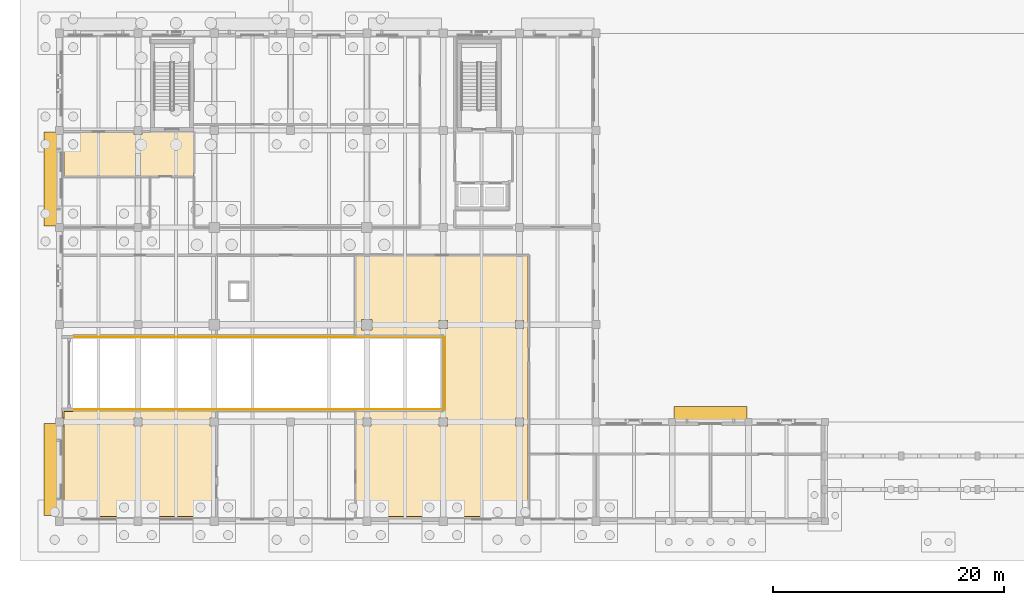
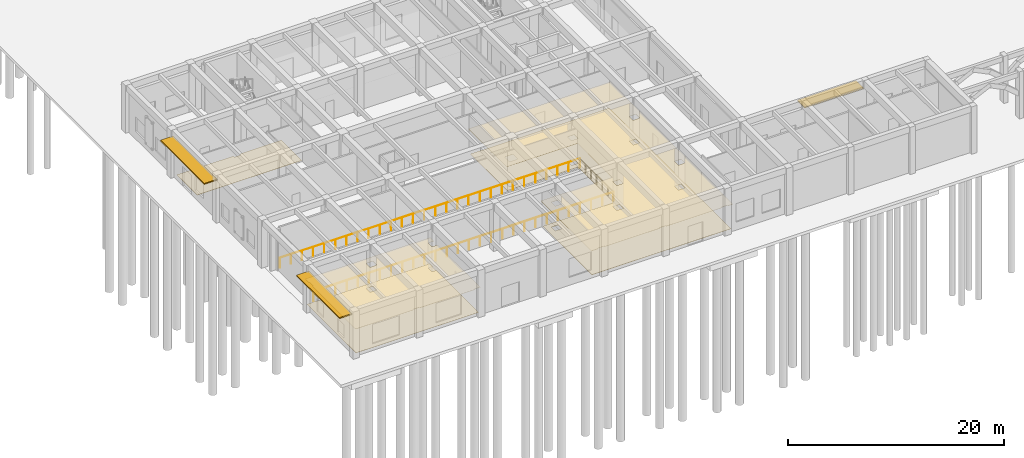
# One storey, part 71 of 82: 5 coverings, 3 railings, 3 shading devices.
"""IFC4 building model written with IfcOpenShell, lengths in metres."""

from ifc_helpers import new_model, si_unit, direction, frame, origin, origin_2d, place, context, subcontext, project, spatial, polyline, rectangle, circle, outline, extrude, material, layer, layer_set, type_object, element, save


model = new_model("IFC4")

# Units and contexts
model_context = context("Model", 3, precision=1e-05, world=origin(), true_north=direction((0.0, 1.0)))
body_context = subcontext(model_context, "Body", "Model", "MODEL_VIEW")
ifc_project = project(units=[si_unit("LENGTHUNIT", "METRE"), si_unit("AREAUNIT", "SQUARE_METRE"), si_unit("VOLUMEUNIT", "CUBIC_METRE"), si_unit("PLANEANGLEUNIT", "RADIAN"), si_unit("MASSUNIT", "GRAM", prefix="KILO")], contexts=[model_context])

# Site, building, storey
site_placement = place(None, origin())
site = spatial("IfcSite", under=ifc_project, at=site_placement, CompositionType="ELEMENT")
building_placement = place(site_placement, origin())
building = spatial("IfcBuilding", under=site, at=building_placement, Name="Kolvaren Faculty of Natural Sciences", CompositionType="ELEMENT")
storey_placement = place(building_placement, origin())
storey = spatial("IfcBuildingStorey", under=building, at=storey_placement, Name="L00", CompositionType="ELEMENT", Elevation=0.0)

# Coverings
ifc_material_1 = material(Name="Perforated mineral-fibre acoustic suspended ceiling tile")
ifc_layer_1 = layer(ifc_material_1, 0.02490234375)
ifc_layer_set_1 = layer_set([ifc_layer_1], Name="Perforated mineral-fibre acoustic suspended ceiling tile")
covering_type_1 = type_object("IfcCoveringType", Name="AcousticSuspendedCeiling_25", PredefinedType="CEILING", material=ifc_layer_set_1)
covering_1_placement = place(storey_placement, frame((0.0, 0.0, 2.824951171875)))
element("IfcCovering", 1, at=covering_1_placement, inside=storey, type_object=covering_type_1, Name="L00 L00 Wet Chemistry Teaching Laboratory acoustic ceiling", PredefinedType="CEILING", context=body_context, shape_type="SweptSolid", body=[
    extrude(outline(polyline([(0.260009765625, 8.25), (0.35009765625, 8.25), (0.35009765625, 8.949951171875), (0.260009765625, 8.949951171875), (0.260009765625, 9.6298828125), (13.679931640625, 9.6298828125), (13.679931640625, 8.949951171875), (13.050048828125, 8.949951171875), (13.050048828125, 8.25), (13.679931640625, 8.25), (13.679931640625, 0.35009765625), (13.050048828125, 0.35009765625), (13.050048828125, 0.260009765625), (7.14990234375, 0.260009765625), (7.14990234375, 0.35009765625), (6.449951171875, 0.35009765625), (6.449951171875, 0.260009765625), (0.35009765625, 0.260009765625), (0.35009765625, 0.35009765625), (0.260009765625, 0.35009765625), (0.260009765625, 8.25)]), holes=[polyline([(7.14990234375, 8.949951171875), (6.449951171875, 8.949951171875), (6.449951171875, 8.25), (7.14990234375, 8.25), (7.14990234375, 8.949951171875)])]), origin(), (0.0, 0.0, 1.0), 0.025146484375),
])
covering_2_placement = place(storey_placement, frame((0.0, 0.0, 2.824951171875)))
element("IfcCovering", 2, at=covering_2_placement, inside=storey, type_object=covering_type_1, Name="L00 L00 Lab Tutorial Seminar Room acoustic ceiling", PredefinedType="CEILING", context=body_context, shape_type="SweptSolid", body=[
    extrude(outline(polyline([(40.14990234375, 0.260009765625), (40.14990234375, 0.35009765625), (39.449951171875, 0.35009765625), (39.449951171875, 0.260009765625), (33.550048828125, 0.260009765625), (33.550048828125, 0.35009765625), (32.85009765625, 0.35009765625), (32.85009765625, 0.260009765625), (26.949951171875, 0.260009765625), (26.949951171875, 0.35009765625), (26.25, 0.35009765625), (26.25, 0.260009765625), (25.52001953125, 0.260009765625), (25.52001953125, 9.6298828125), (33.1201171875, 9.6298828125), (33.1201171875, 15.969970703125), (25.52001953125, 15.969970703125), (25.52001953125, 23.080078125), (40.679931640625, 23.080078125), (40.679931640625, 0.260009765625), (40.14990234375, 0.260009765625)]), holes=[polyline([(26.949951171875, 8.949951171875), (26.25, 8.949951171875), (26.25, 8.25), (26.949951171875, 8.25), (26.949951171875, 8.949951171875)]), polyline([(40.14990234375, 8.949951171875), (39.449951171875, 8.949951171875), (39.449951171875, 8.25), (40.14990234375, 8.25), (40.14990234375, 8.949951171875)]), polyline([(33.550048828125, 8.949951171875), (32.85009765625, 8.949951171875), (32.85009765625, 8.25), (33.550048828125, 8.25), (33.550048828125, 8.949951171875)]), polyline([(40.14990234375, 17.35009765625), (39.449951171875, 17.35009765625), (39.449951171875, 16.64990234375), (40.14990234375, 16.64990234375), (40.14990234375, 17.35009765625)]), polyline([(27.050048828125, 17.449951171875), (26.14990234375, 17.449951171875), (26.14990234375, 16.550048828125), (27.050048828125, 16.550048828125), (27.050048828125, 17.449951171875)]), polyline([(33.550048828125, 17.35009765625), (32.85009765625, 17.35009765625), (32.85009765625, 16.64990234375), (33.550048828125, 16.64990234375), (33.550048828125, 17.35009765625)])]), origin(), (0.0, 0.0, 1.0), 0.025146484375),
])

# Shading devices
ifc_material_2 = material(Name="Precast concrete C35/45", Category="concrete")
ifc_layer_2 = layer(ifc_material_2, 0.1201171875)
ifc_layer_set_2 = layer_set([ifc_layer_2], Name="Precast concrete C35/45")
shading_device_type = type_object("IfcShadingDeviceType", Name="ChhajjaSolarHood_1350", PredefinedType="AWNING", material=ifc_layer_set_2)
shading_device_1_placement = place(storey_placement, frame((-0.655029296875, 4.469970703125, 4.44482421875), z_axis=(0.0, 0.0, 1.0), x_axis=(0.0, 1.0, 0.0)))
element("IfcShadingDevice", 3, at=shading_device_1_placement, inside=storey, type_object=shading_device_type, Name="L00 precast sandstone chhajja solar hood 1", PredefinedType="AWNING", context=body_context, shape_type="SweptSolid", body=[
    extrude(rectangle(XDim=7.9599609375, YDim=1.35009765625, at=origin_2d()), origin(), (0.0, 0.0, 1.0), 0.1201171875),
])
shading_device_2_placement = place(storey_placement, frame((-0.655029296875, 29.60009765625, 4.44482421875), z_axis=(0.0, 0.0, 1.0), x_axis=(0.0, 1.0, 0.0)))
element("IfcShadingDevice", 4, at=shading_device_2_placement, inside=storey, type_object=shading_device_type, Name="L00 precast sandstone chhajja solar hood 2", PredefinedType="AWNING", context=body_context, shape_type="SweptSolid", body=[
    extrude(rectangle(XDim=8.10009765625, YDim=1.35009765625, at=origin_2d()), origin(), (0.0, 0.0, 1.0), 0.1201171875),
])
shading_device_3_placement = place(storey_placement, frame((56.300048828125, 9.2548828125, 4.294921875), z_axis=(0.0, 0.0, 1.0), x_axis=(1.0, 0.0, 0.0)))
element("IfcShadingDevice", 5, at=shading_device_3_placement, inside=storey, type_object=shading_device_type, Name="L00 precast sandstone chhajja solar hood 7", PredefinedType="AWNING", context=body_context, shape_type="SweptSolid", body=[
    extrude(rectangle(XDim=6.300048828125, YDim=1.35009765625, at=origin_2d()), origin(), (0.0, 0.0, 1.0), 0.1201171875),
])

# Railings
ifc_material_3 = material(Name="Structural steel EN 10210-1 S355J2H", Category="steel")
ifc_layer_3 = layer(ifc_material_3, 0.048095703125)
ifc_layer_set_3 = layer_set([ifc_layer_3], Name="Structural steel EN 10210-1 S355J2H")
railing_type = type_object("IfcRailingType", Name="GuardRailing_GRD110", PredefinedType="BALUSTRADE", material=ifc_layer_set_3)
railing_1_placement = place(storey_placement, frame((1.199951171875, 9.679931640625, 0.0)))
element("IfcRailing", 6, at=railing_1_placement, inside=storey, type_object=railing_type, Name="L00 vehicle ramp well balustrade 57", PredefinedType="BALUSTRADE", context=body_context, shape_type="SweptSolid", body=[
    extrude(circle(Radius=0.02392578125, at=origin_2d()), frame((0.0, 0.0, 1.09619140625), z_axis=(1.0, 0.0, 0.0), x_axis=(0.0, 1.0, 0.0)), (0.0, 0.0, 1.0), 32.1201171875),
    extrude(circle(Radius=0.02099609375, at=origin_2d()), origin(), (0.0, 0.0, 1.0), 1.072021484375),
    extrude(circle(Radius=0.02099609375, at=origin_2d()), frame((1.189697265625, 0.0, 0.0)), (0.0, 0.0, 1.0), 1.072021484375),
    extrude(circle(Radius=0.02099609375, at=origin_2d()), frame((2.379150390625, 0.0, 0.0)), (0.0, 0.0, 1.0), 1.072021484375),
    extrude(circle(Radius=0.02099609375, at=origin_2d()), frame((3.56884765625, 0.0, 0.0)), (0.0, 0.0, 1.0), 1.072021484375),
    extrude(circle(Radius=0.02099609375, at=origin_2d()), frame((4.758544921875, 0.0, 0.0)), (0.0, 0.0, 1.0), 1.072021484375),
    extrude(circle(Radius=0.02099609375, at=origin_2d()), frame((5.9482421875, 0.0, 0.0)), (0.0, 0.0, 1.0), 1.072021484375),
    extrude(circle(Radius=0.02099609375, at=origin_2d()), frame((7.1376953125, 0.0, 0.0)), (0.0, 0.0, 1.0), 1.072021484375),
    extrude(circle(Radius=0.02099609375, at=origin_2d()), frame((8.327392578125, 0.0, 0.0)), (0.0, 0.0, 1.0), 1.072021484375),
    extrude(circle(Radius=0.02099609375, at=origin_2d()), frame((9.51708984375, 0.0, 0.0)), (0.0, 0.0, 1.0), 1.072021484375),
    extrude(circle(Radius=0.02099609375, at=origin_2d()), frame((10.706787109375, 0.0, 0.0)), (0.0, 0.0, 1.0), 1.072021484375),
    extrude(circle(Radius=0.02099609375, at=origin_2d()), frame((11.896240234375, 0.0, 0.0)), (0.0, 0.0, 1.0), 1.072021484375),
    extrude(circle(Radius=0.02099609375, at=origin_2d()), frame((13.0859375, 0.0, 0.0)), (0.0, 0.0, 1.0), 1.072021484375),
    extrude(circle(Radius=0.02099609375, at=origin_2d()), frame((14.275634765625, 0.0, 0.0)), (0.0, 0.0, 1.0), 1.072021484375),
    extrude(circle(Radius=0.02099609375, at=origin_2d()), frame((15.46533203125, 0.0, 0.0)), (0.0, 0.0, 1.0), 1.072021484375),
    extrude(circle(Radius=0.02099609375, at=origin_2d()), frame((16.65478515625, 0.0, 0.0)), (0.0, 0.0, 1.0), 1.072021484375),
    extrude(circle(Radius=0.02099609375, at=origin_2d()), frame((17.844482421875, 0.0, 0.0)), (0.0, 0.0, 1.0), 1.072021484375),
    extrude(circle(Radius=0.02099609375, at=origin_2d()), frame((19.0341796875, 0.0, 0.0)), (0.0, 0.0, 1.0), 1.072021484375),
    extrude(circle(Radius=0.02099609375, at=origin_2d()), frame((20.223876953125, 0.0, 0.0)), (0.0, 0.0, 1.0), 1.072021484375),
    extrude(circle(Radius=0.02099609375, at=origin_2d()), frame((21.413330078125, 0.0, 0.0)), (0.0, 0.0, 1.0), 1.072021484375),
    extrude(circle(Radius=0.02099609375, at=origin_2d()), frame((22.60302734375, 0.0, 0.0)), (0.0, 0.0, 1.0), 1.072021484375),
    extrude(circle(Radius=0.02099609375, at=origin_2d()), frame((23.792724609375, 0.0, 0.0)), (0.0, 0.0, 1.0), 1.072021484375),
    extrude(circle(Radius=0.02099609375, at=origin_2d()), frame((24.982421875, 0.0, 0.0)), (0.0, 0.0, 1.0), 1.072021484375),
    extrude(circle(Radius=0.02099609375, at=origin_2d()), frame((26.171875, 0.0, 0.0)), (0.0, 0.0, 1.0), 1.072021484375),
    extrude(circle(Radius=0.02099609375, at=origin_2d()), frame((27.361572265625, 0.0, 0.0)), (0.0, 0.0, 1.0), 1.072021484375),
    extrude(circle(Radius=0.02099609375, at=origin_2d()), frame((28.55126953125, 0.0, 0.0)), (0.0, 0.0, 1.0), 1.072021484375),
    extrude(circle(Radius=0.02099609375, at=origin_2d()), frame((29.740966796875, 0.0, 0.0)), (0.0, 0.0, 1.0), 1.072021484375),
    extrude(circle(Radius=0.02099609375, at=origin_2d()), frame((30.930419921875, 0.0, 0.0)), (0.0, 0.0, 1.0), 1.072021484375),
    extrude(circle(Radius=0.02099609375, at=origin_2d()), frame((32.1201171875, 0.0, 0.0)), (0.0, 0.0, 1.0), 1.072021484375),
])
railing_2_placement = place(storey_placement, frame((33.320068359375, 9.679931640625, 0.0)))
element("IfcRailing", 7, at=railing_2_placement, inside=storey, type_object=railing_type, Name="L00 vehicle ramp well balustrade 58", PredefinedType="BALUSTRADE", context=body_context, shape_type="SweptSolid", body=[
    extrude(circle(Radius=0.02392578125, at=origin_2d()), frame((0.0, 0.0, 1.09619140625), z_axis=(0.0, 1.0, 0.0), x_axis=(-1.0, 0.0, 0.0)), (0.0, 0.0, 1.0), 6.239990234375),
    extrude(circle(Radius=0.02099609375, at=origin_2d()), origin(), (0.0, 0.0, 1.0), 1.072021484375),
    extrude(circle(Radius=0.02099609375, at=origin_2d()), frame((0.0, 1.0400390625, 0.0)), (0.0, 0.0, 1.0), 1.072021484375),
    extrude(circle(Radius=0.02099609375, at=origin_2d()), frame((0.0, 2.080078125, 0.0)), (0.0, 0.0, 1.0), 1.072021484375),
    extrude(circle(Radius=0.02099609375, at=origin_2d()), frame((0.0, 3.1201171875, 0.0)), (0.0, 0.0, 1.0), 1.072021484375),
    extrude(circle(Radius=0.02099609375, at=origin_2d()), frame((0.0, 4.159912109375, 0.0)), (0.0, 0.0, 1.0), 1.072021484375),
    extrude(circle(Radius=0.02099609375, at=origin_2d()), frame((0.0, 5.199951171875, 0.0)), (0.0, 0.0, 1.0), 1.072021484375),
    extrude(circle(Radius=0.02099609375, at=origin_2d()), frame((0.0, 6.239990234375, 0.0)), (0.0, 0.0, 1.0), 1.072021484375),
])
railing_3_placement = place(storey_placement, frame((33.320068359375, 15.919921875, 0.0)))
element("IfcRailing", 8, at=railing_3_placement, inside=storey, type_object=railing_type, Name="L00 vehicle ramp well balustrade 59", PredefinedType="BALUSTRADE", context=body_context, shape_type="SweptSolid", body=[
    extrude(circle(Radius=0.02392578125, at=origin_2d()), frame((0.0, 0.0, 1.09619140625), z_axis=(-1.0, 0.0, 0.0), x_axis=(0.0, -1.0, 0.0)), (0.0, 0.0, 1.0), 32.1201171875),
    extrude(circle(Radius=0.02099609375, at=origin_2d()), origin(), (0.0, 0.0, 1.0), 1.072021484375),
    extrude(circle(Radius=0.02099609375, at=origin_2d()), frame((-1.189697265625, 0.0, 0.0)), (0.0, 0.0, 1.0), 1.072021484375),
    extrude(circle(Radius=0.02099609375, at=origin_2d()), frame((-2.379150390625, 0.0, 0.0)), (0.0, 0.0, 1.0), 1.072021484375),
    extrude(circle(Radius=0.02099609375, at=origin_2d()), frame((-3.56884765625, 0.0, 0.0)), (0.0, 0.0, 1.0), 1.072021484375),
    extrude(circle(Radius=0.02099609375, at=origin_2d()), frame((-4.758544921875, 0.0, 0.0)), (0.0, 0.0, 1.0), 1.072021484375),
    extrude(circle(Radius=0.02099609375, at=origin_2d()), frame((-5.9482421875, 0.0, 0.0)), (0.0, 0.0, 1.0), 1.072021484375),
    extrude(circle(Radius=0.02099609375, at=origin_2d()), frame((-7.1376953125, 0.0, 0.0)), (0.0, 0.0, 1.0), 1.072021484375),
    extrude(circle(Radius=0.02099609375, at=origin_2d()), frame((-8.327392578125, 0.0, 0.0)), (0.0, 0.0, 1.0), 1.072021484375),
    extrude(circle(Radius=0.02099609375, at=origin_2d()), frame((-9.51708984375, 0.0, 0.0)), (0.0, 0.0, 1.0), 1.072021484375),
    extrude(circle(Radius=0.02099609375, at=origin_2d()), frame((-10.706787109375, 0.0, 0.0)), (0.0, 0.0, 1.0), 1.072021484375),
    extrude(circle(Radius=0.02099609375, at=origin_2d()), frame((-11.896240234375, 0.0, 0.0)), (0.0, 0.0, 1.0), 1.072021484375),
    extrude(circle(Radius=0.02099609375, at=origin_2d()), frame((-13.0859375, 0.0, 0.0)), (0.0, 0.0, 1.0), 1.072021484375),
    extrude(circle(Radius=0.02099609375, at=origin_2d()), frame((-14.275634765625, 0.0, 0.0)), (0.0, 0.0, 1.0), 1.072021484375),
    extrude(circle(Radius=0.02099609375, at=origin_2d()), frame((-15.46533203125, 0.0, 0.0)), (0.0, 0.0, 1.0), 1.072021484375),
    extrude(circle(Radius=0.02099609375, at=origin_2d()), frame((-16.65478515625, 0.0, 0.0)), (0.0, 0.0, 1.0), 1.072021484375),
    extrude(circle(Radius=0.02099609375, at=origin_2d()), frame((-17.844482421875, 0.0, 0.0)), (0.0, 0.0, 1.0), 1.072021484375),
    extrude(circle(Radius=0.02099609375, at=origin_2d()), frame((-19.0341796875, 0.0, 0.0)), (0.0, 0.0, 1.0), 1.072021484375),
    extrude(circle(Radius=0.02099609375, at=origin_2d()), frame((-20.223876953125, 0.0, 0.0)), (0.0, 0.0, 1.0), 1.072021484375),
    extrude(circle(Radius=0.02099609375, at=origin_2d()), frame((-21.413330078125, 0.0, 0.0)), (0.0, 0.0, 1.0), 1.072021484375),
    extrude(circle(Radius=0.02099609375, at=origin_2d()), frame((-22.60302734375, 0.0, 0.0)), (0.0, 0.0, 1.0), 1.072021484375),
    extrude(circle(Radius=0.02099609375, at=origin_2d()), frame((-23.792724609375, 0.0, 0.0)), (0.0, 0.0, 1.0), 1.072021484375),
    extrude(circle(Radius=0.02099609375, at=origin_2d()), frame((-24.982421875, 0.0, 0.0)), (0.0, 0.0, 1.0), 1.072021484375),
    extrude(circle(Radius=0.02099609375, at=origin_2d()), frame((-26.171875, 0.0, 0.0)), (0.0, 0.0, 1.0), 1.072021484375),
    extrude(circle(Radius=0.02099609375, at=origin_2d()), frame((-27.361572265625, 0.0, 0.0)), (0.0, 0.0, 1.0), 1.072021484375),
    extrude(circle(Radius=0.02099609375, at=origin_2d()), frame((-28.55126953125, 0.0, 0.0)), (0.0, 0.0, 1.0), 1.072021484375),
    extrude(circle(Radius=0.02099609375, at=origin_2d()), frame((-29.740966796875, 0.0, 0.0)), (0.0, 0.0, 1.0), 1.072021484375),
    extrude(circle(Radius=0.02099609375, at=origin_2d()), frame((-30.930419921875, 0.0, 0.0)), (0.0, 0.0, 1.0), 1.072021484375),
    extrude(circle(Radius=0.02099609375, at=origin_2d()), frame((-32.1201171875, 0.0, 0.0)), (0.0, 0.0, 1.0), 1.072021484375),
])

# Coverings
ifc_material_4 = material(Name="Seamless chemical-resistant laboratory epoxy resin flooring")
ifc_layer_4 = layer(ifc_material_4, 0.02001953125)
ifc_layer_set_4 = layer_set([ifc_layer_4], Name="Seamless chemical-resistant laboratory epoxy resin flooring")
covering_type_2 = type_object("IfcCoveringType", Name="LabEpoxyFloorFinish_20", PredefinedType="FLOORING", material=ifc_layer_set_4)
covering_3_placement = place(storey_placement, origin())
element("IfcCovering", 9, at=covering_3_placement, inside=storey, type_object=covering_type_2, Name="L00 L00 Wet Chemistry Teaching Laboratory floor finish", PredefinedType="FLOORING", context=body_context, shape_type="SweptSolid", body=[
    extrude(outline(polyline([(0.39990234375, 0.39990234375), (0.39990234375, 9.489990234375), (13.5400390625, 9.489990234375), (13.5400390625, 8.949951171875), (13.050048828125, 8.949951171875), (13.050048828125, 8.25), (13.5400390625, 8.25), (13.5400390625, 0.39990234375), (0.39990234375, 0.39990234375)]), holes=[polyline([(7.14990234375, 8.949951171875), (6.449951171875, 8.949951171875), (6.449951171875, 8.25), (7.14990234375, 8.25), (7.14990234375, 8.949951171875)])]), origin(), (0.0, 0.0, 1.0), 0.02001953125),
])
ifc_material_5 = material(Name="Polished Uruguayan grey granite terrazzo flooring", Category="masonry")
ifc_layer_5 = layer(ifc_material_5, 0.030029296875)
ifc_layer_set_5 = layer_set([ifc_layer_5], Name="Polished Uruguayan grey granite terrazzo flooring")
covering_type_3 = type_object("IfcCoveringType", Name="TerrazzoFloorFinish_30", PredefinedType="FLOORING", material=ifc_layer_set_5)
covering_4_placement = place(storey_placement, origin())
element("IfcCovering", 10, at=covering_4_placement, inside=storey, type_object=covering_type_3, Name="L00 L00 Protected Stair Lobby ST-8 floor finish", PredefinedType="FLOORING", context=body_context, shape_type="SweptSolid", body=[
    extrude(outline(polyline([(6.449951171875, 33.639892578125), (6.449951171875, 33.449951171875), (7.14990234375, 33.449951171875), (7.14990234375, 33.639892578125), (11.590087890625, 33.639892578125), (11.590087890625, 29.860107421875), (0.39990234375, 29.860107421875), (0.39990234375, 33.639892578125), (6.449951171875, 33.639892578125)])), origin(), (0.0, 0.0, 1.0), 0.030029296875),
])
covering_5_placement = place(storey_placement, origin())
element("IfcCovering", 11, at=covering_5_placement, inside=storey, type_object=covering_type_3, Name="L00 L00 Lab Tutorial Seminar Room floor finish", PredefinedType="FLOORING", context=body_context, shape_type="SweptSolid", body=[
    extrude(outline(polyline([(40.5400390625, 0.39990234375), (25.659912109375, 0.39990234375), (25.659912109375, 9.489990234375), (33.199951171875, 9.489990234375), (33.205810546875, 9.490234375), (33.211669921875, 9.4912109375), (33.21728515625, 9.49267578125), (33.222900390625, 9.49462890625), (33.228271484375, 9.4970703125), (33.2333984375, 9.5), (33.238037109375, 9.503662109375), (33.242431640625, 9.507568359375), (33.246337890625, 9.511962890625), (33.25, 9.5166015625), (33.2529296875, 9.521728515625), (33.25537109375, 9.527099609375), (33.25732421875, 9.53271484375), (33.2587890625, 9.538330078125), (33.259765625, 9.544189453125), (33.260009765625, 9.550048828125), (33.260009765625, 16.050048828125), (33.259765625, 16.055908203125), (33.2587890625, 16.061767578125), (33.25732421875, 16.0673828125), (33.25537109375, 16.072998046875), (33.2529296875, 16.078369140625), (33.25, 16.083251953125), (33.246337890625, 16.088134765625), (33.242431640625, 16.09228515625), (33.238037109375, 16.096435546875), (33.2333984375, 16.099853515625), (33.228271484375, 16.102783203125), (33.222900390625, 16.10546875), (33.21728515625, 16.107421875), (33.211669921875, 16.10888671875), (33.205810546875, 16.109619140625), (33.199951171875, 16.110107421875), (25.659912109375, 16.110107421875), (25.659912109375, 22.93994140625), (40.5400390625, 22.93994140625), (40.5400390625, 0.39990234375)]), holes=[polyline([(26.949951171875, 8.949951171875), (26.25, 8.949951171875), (26.25, 8.25), (26.949951171875, 8.25), (26.949951171875, 8.949951171875)]), polyline([(40.14990234375, 8.949951171875), (39.449951171875, 8.949951171875), (39.449951171875, 8.25), (40.14990234375, 8.25), (40.14990234375, 8.949951171875)]), polyline([(33.550048828125, 8.949951171875), (32.85009765625, 8.949951171875), (32.85009765625, 8.25), (33.550048828125, 8.25), (33.550048828125, 8.949951171875)]), polyline([(40.14990234375, 17.35009765625), (39.449951171875, 17.35009765625), (39.449951171875, 16.64990234375), (40.14990234375, 16.64990234375), (40.14990234375, 17.35009765625)]), polyline([(27.050048828125, 17.449951171875), (26.14990234375, 17.449951171875), (26.14990234375, 16.550048828125), (27.050048828125, 16.550048828125), (27.050048828125, 17.449951171875)]), polyline([(33.550048828125, 17.35009765625), (32.85009765625, 17.35009765625), (32.85009765625, 16.64990234375), (33.550048828125, 16.64990234375), (33.550048828125, 17.35009765625)])]), origin(), (0.0, 0.0, 1.0), 0.030029296875),
])

save(model, "model.ifc")
